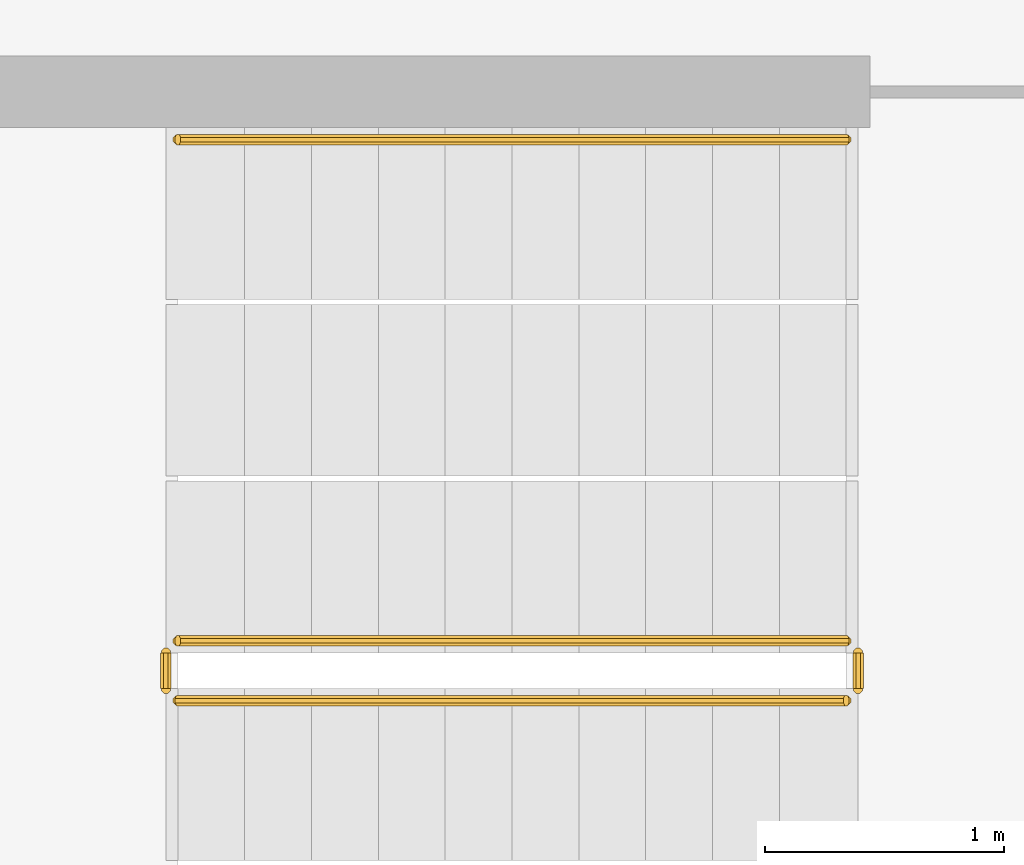
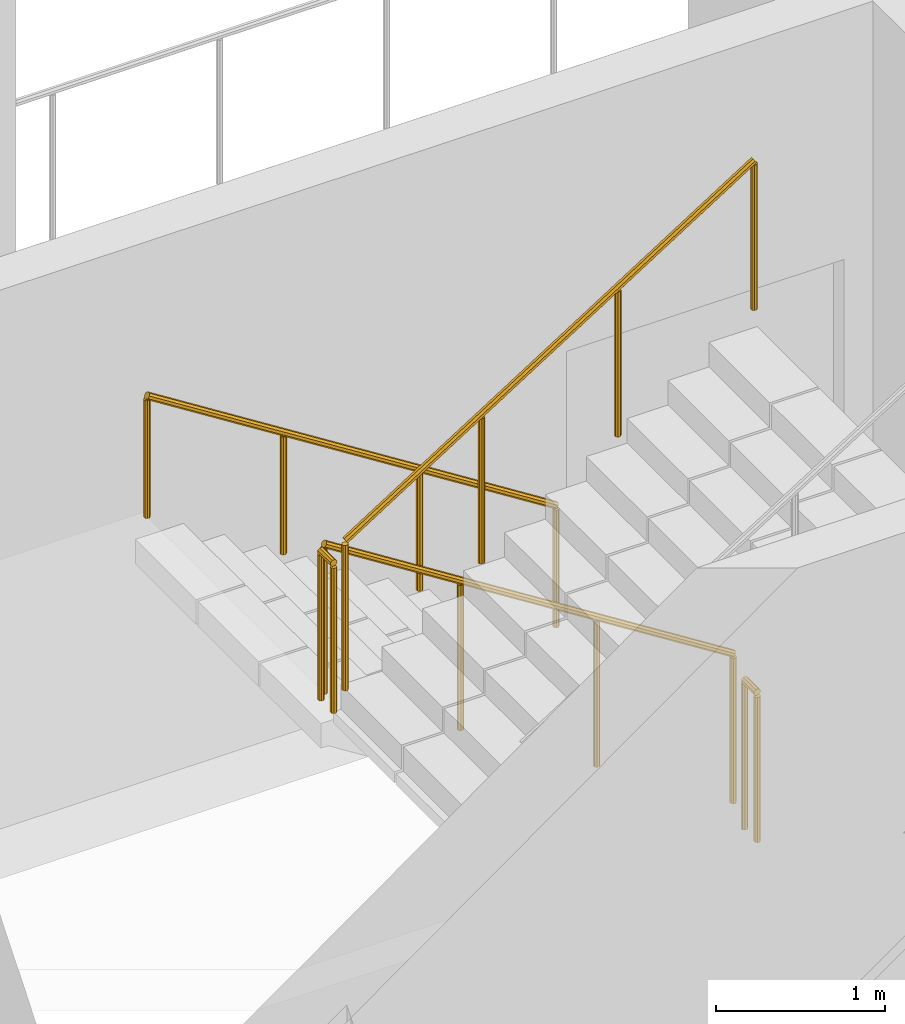
# One storey, part 20 of 26: 5 railings.
"""IFC4 building model written with IfcOpenShell, lengths in metres."""

from ifc_helpers import new_model, si_unit, direction, frame, origin, place, context, subcontext, project, spatial, polyline, outline, extrude, material, type_object, element, save


model = new_model("IFC4")

# Units and contexts
model_context = context("Model", 3, precision=1e-05, world=origin(), true_north=direction((0.0, 1.0)))
body_context = subcontext(model_context, "Body", "Model", "MODEL_VIEW")
ifc_project = project(units=[si_unit("LENGTHUNIT", "METRE"), si_unit("AREAUNIT", "SQUARE_METRE"), si_unit("VOLUMEUNIT", "CUBIC_METRE"), si_unit("PLANEANGLEUNIT", "RADIAN"), si_unit("MASSUNIT", "GRAM", prefix="KILO")], contexts=[model_context])

# Site, building, storey
site_placement = place(None, origin())
site = spatial("IfcSite", under=ifc_project, at=site_placement, CompositionType="ELEMENT")
building_placement = place(site_placement, origin())
building = spatial("IfcBuilding", under=site, at=building_placement, Name="Cormorant Relay Tower", CompositionType="ELEMENT")
storey_placement = place(building_placement, frame((0.0, 0.0, 304.800048828125)))
storey = spatial("IfcBuildingStorey", under=building, at=storey_placement, Name="L69", CompositionType="ELEMENT", Elevation=304.800048828125)

# Railings
ifc_material_1 = material(Name="Steel ASTM A572 Grade 50 (Fy 345 MPa)", Category="steel")
railing_type_1 = type_object("IfcRailingType", Name="Stair guard 1100", PredefinedType="GUARDRAIL", material=ifc_material_1)
railing_1_placement = place(storey_placement, frame((1.60009765625, -18.27490234375, 0.17724609375)))
element("IfcRailing", 1, at=railing_1_placement, inside=storey, type_object=railing_type_1, Name="L69 RK1 stair guard 1", PredefinedType="GUARDRAIL", context=body_context, shape_type="SweptSolid", body=[
    extrude(outline(polyline([(0.022216796875, 0.00927734375), (0.00927734375, 0.022216796875), (-0.00927734375, 0.022216796875), (-0.022216796875, 0.00927734375), (-0.022216796875, -0.00927734375), (-0.00927734375, -0.022216796875), (0.00927734375, -0.022216796875), (0.022216796875, -0.00927734375), (0.022216796875, 0.00927734375)])), frame((0.0, 0.0, 1.076171875), z_axis=(-0.844908973607, 0.0, 0.534910110503), x_axis=(0.0, -1.0, 0.0)), (0.0, 0.0, 1.0), 3.31396484375),
    extrude(outline(polyline([(0.019287109375, 0.008056640625), (0.008056640625, 0.019287109375), (-0.008056640625, 0.019287109375), (-0.019287109375, 0.008056640625), (-0.019287109375, -0.008056640625), (-0.008056640625, -0.019287109375), (0.008056640625, -0.019287109375), (0.019287109375, -0.008056640625), (0.019287109375, 0.008056640625)])), origin(), (0.0, 0.0, 1.0), 1.052001953125),
    extrude(outline(polyline([(0.019287109375, 0.008056640625), (0.008056640625, 0.019287109375), (-0.008056640625, 0.019287109375), (-0.019287109375, 0.008056640625), (-0.019287109375, -0.008056640625), (-0.008056640625, -0.019287109375), (0.008056640625, -0.019287109375), (0.019287109375, -0.008056640625), (0.019287109375, 0.008056640625)])), frame((-0.933349609375, 0.0, 0.5908203125)), (0.0, 0.0, 1.0), 1.052001953125),
    extrude(outline(polyline([(0.019287109375, 0.008056640625), (0.008056640625, 0.019287109375), (-0.008056640625, 0.019287109375), (-0.019287109375, 0.008056640625), (-0.019287109375, -0.008056640625), (-0.008056640625, -0.019287109375), (0.008056640625, -0.019287109375), (0.019287109375, -0.008056640625), (0.019287109375, 0.008056640625)])), frame((-1.86669921875, 0.0, 1.181884765625)), (0.0, 0.0, 1.0), 1.052001953125),
    extrude(outline(polyline([(0.019287109375, 0.008056640625), (0.008056640625, 0.019287109375), (-0.008056640625, 0.019287109375), (-0.019287109375, 0.008056640625), (-0.019287109375, -0.008056640625), (-0.008056640625, -0.019287109375), (0.008056640625, -0.019287109375), (0.019287109375, -0.008056640625), (0.019287109375, 0.008056640625)])), frame((-2.800048828125, 0.0, 1.772705078125)), (0.0, 0.0, 1.0), 1.052001953125),
])
railing_2_placement = place(storey_placement, frame((-1.25, -18.324951171875, 1.949951171875)))
element("IfcRailing", 2, at=railing_2_placement, inside=storey, type_object=railing_type_1, Name="L69 RK1 stair guard 2", PredefinedType="GUARDRAIL", context=body_context, shape_type="SweptSolid", body=[
    extrude(outline(polyline([(0.022216796875, 0.00927734375), (0.00927734375, 0.022216796875), (-0.00927734375, 0.022216796875), (-0.022216796875, 0.00927734375), (-0.022216796875, -0.00927734375), (-0.00927734375, -0.022216796875), (0.00927734375, -0.022216796875), (0.022216796875, -0.00927734375), (0.022216796875, 0.00927734375)])), frame((0.0, 0.0, 1.076171875), z_axis=(0.0, -1.0, 0.0), x_axis=(1.0, 0.0, 0.0)), (0.0, 0.0, 1.0), 0.150146484375),
    extrude(outline(polyline([(0.019287109375, 0.008056640625), (0.008056640625, 0.019287109375), (-0.008056640625, 0.019287109375), (-0.019287109375, 0.008056640625), (-0.019287109375, -0.008056640625), (-0.008056640625, -0.019287109375), (0.008056640625, -0.019287109375), (0.019287109375, -0.008056640625), (0.019287109375, 0.008056640625)])), origin(), (0.0, 0.0, 1.0), 1.052001953125),
    extrude(outline(polyline([(0.019287109375, 0.008056640625), (0.008056640625, 0.019287109375), (-0.008056640625, 0.019287109375), (-0.019287109375, 0.008056640625), (-0.019287109375, -0.008056640625), (-0.008056640625, -0.019287109375), (0.008056640625, -0.019287109375), (0.019287109375, -0.008056640625), (0.019287109375, 0.008056640625)])), frame((0.0, -0.150146484375, 0.0)), (0.0, 0.0, 1.0), 1.052001953125),
])
railing_3_placement = place(storey_placement, frame((-1.199951171875, -18.52490234375, 2.127197265625)))
element("IfcRailing", 3, at=railing_3_placement, inside=storey, type_object=railing_type_1, Name="L69 RK1 stair guard 3", PredefinedType="GUARDRAIL", context=body_context, shape_type="SweptSolid", body=[
    extrude(outline(polyline([(0.022216796875, 0.00927734375), (0.00927734375, 0.022216796875), (-0.00927734375, 0.022216796875), (-0.022216796875, 0.00927734375), (-0.022216796875, -0.00927734375), (-0.00927734375, -0.022216796875), (0.00927734375, -0.022216796875), (0.022216796875, -0.00927734375), (0.022216796875, 0.00927734375)])), frame((0.0, 0.0, 1.076171875), z_axis=(0.844908973607, 0.0, 0.534910110503), x_axis=(0.0, 1.0, 0.0)), (0.0, 0.0, 1.0), 3.31396484375),
    extrude(outline(polyline([(0.019287109375, 0.008056640625), (0.008056640625, 0.019287109375), (-0.008056640625, 0.019287109375), (-0.019287109375, 0.008056640625), (-0.019287109375, -0.008056640625), (-0.008056640625, -0.019287109375), (0.008056640625, -0.019287109375), (0.019287109375, -0.008056640625), (0.019287109375, 0.008056640625)])), origin(), (0.0, 0.0, 1.0), 1.052001953125),
    extrude(outline(polyline([(0.019287109375, 0.008056640625), (0.008056640625, 0.019287109375), (-0.008056640625, 0.019287109375), (-0.019287109375, 0.008056640625), (-0.019287109375, -0.008056640625), (-0.008056640625, -0.019287109375), (0.008056640625, -0.019287109375), (0.019287109375, -0.008056640625), (0.019287109375, 0.008056640625)])), frame((0.933349609375, 0.0, 0.5908203125)), (0.0, 0.0, 1.0), 1.052001953125),
    extrude(outline(polyline([(0.019287109375, 0.008056640625), (0.008056640625, 0.019287109375), (-0.008056640625, 0.019287109375), (-0.019287109375, 0.008056640625), (-0.019287109375, -0.008056640625), (-0.008056640625, -0.019287109375), (0.008056640625, -0.019287109375), (0.019287109375, -0.008056640625), (0.019287109375, 0.008056640625)])), frame((1.86669921875, 0.0, 1.181884765625)), (0.0, 0.0, 1.0), 1.052001953125),
    extrude(outline(polyline([(0.019287109375, 0.008056640625), (0.008056640625, 0.019287109375), (-0.008056640625, 0.019287109375), (-0.019287109375, 0.008056640625), (-0.019287109375, -0.008056640625), (-0.008056640625, -0.019287109375), (0.008056640625, -0.019287109375), (0.019287109375, -0.008056640625), (0.019287109375, 0.008056640625)])), frame((2.800048828125, 0.0, 1.772705078125)), (0.0, 0.0, 1.0), 1.052001953125),
])
railing_4_placement = place(storey_placement, frame((1.64990234375, -18.324951171875, 0.0)))
element("IfcRailing", 4, at=railing_4_placement, inside=storey, type_object=railing_type_1, Name="L69 RK1 stair guard 4", PredefinedType="GUARDRAIL", context=body_context, shape_type="SweptSolid", body=[
    extrude(outline(polyline([(0.022216796875, 0.00927734375), (0.00927734375, 0.022216796875), (-0.00927734375, 0.022216796875), (-0.022216796875, 0.00927734375), (-0.022216796875, -0.00927734375), (-0.00927734375, -0.022216796875), (0.00927734375, -0.022216796875), (0.022216796875, -0.00927734375), (0.022216796875, 0.00927734375)])), frame((0.0, 0.0, 1.076171875), z_axis=(0.0, -1.0, 0.0), x_axis=(1.0, 0.0, 0.0)), (0.0, 0.0, 1.0), 0.150146484375),
    extrude(outline(polyline([(0.019287109375, 0.008056640625), (0.008056640625, 0.019287109375), (-0.008056640625, 0.019287109375), (-0.019287109375, 0.008056640625), (-0.019287109375, -0.008056640625), (-0.008056640625, -0.019287109375), (0.008056640625, -0.019287109375), (0.019287109375, -0.008056640625), (0.019287109375, 0.008056640625)])), origin(), (0.0, 0.0, 1.0), 1.052001953125),
    extrude(outline(polyline([(0.019287109375, 0.008056640625), (0.008056640625, 0.019287109375), (-0.008056640625, 0.019287109375), (-0.019287109375, 0.008056640625), (-0.019287109375, -0.008056640625), (-0.008056640625, -0.019287109375), (0.008056640625, -0.019287109375), (0.019287109375, -0.008056640625), (0.019287109375, 0.008056640625)])), frame((0.0, -0.150146484375, 0.0)), (0.0, 0.0, 1.0), 1.052001953125),
])
ifc_material_2 = material(Name="Steel ASTM A572 Grade 50 (Fy 345 MPa)", Category="steel")
railing_type_2 = type_object("IfcRailingType", Name="Stair handrail 900", PredefinedType="HANDRAIL", material=ifc_material_2)
railing_5_placement = place(storey_placement, frame((1.60009765625, -16.175048828125, 0.17724609375)))
element("IfcRailing", 5, at=railing_5_placement, inside=storey, type_object=railing_type_2, Name="L69 RK1 stair handrail 1", PredefinedType="HANDRAIL", context=body_context, shape_type="SweptSolid", body=[
    extrude(outline(polyline([(0.022216796875, 0.00927734375), (0.00927734375, 0.022216796875), (-0.00927734375, 0.022216796875), (-0.022216796875, 0.00927734375), (-0.022216796875, -0.00927734375), (-0.00927734375, -0.022216796875), (0.00927734375, -0.022216796875), (0.022216796875, -0.00927734375), (0.022216796875, 0.00927734375)])), frame((0.0, 0.0, 0.8759765625), z_axis=(-0.844908973607, 0.0, 0.534910110503), x_axis=(0.0, -1.0, 0.0)), (0.0, 0.0, 1.0), 3.31396484375),
    extrude(outline(polyline([(0.019287109375, 0.008056640625), (0.008056640625, 0.019287109375), (-0.008056640625, 0.019287109375), (-0.019287109375, 0.008056640625), (-0.019287109375, -0.008056640625), (-0.008056640625, -0.019287109375), (0.008056640625, -0.019287109375), (0.019287109375, -0.008056640625), (0.019287109375, 0.008056640625)])), origin(), (0.0, 0.0, 1.0), 0.851806640625),
    extrude(outline(polyline([(0.019287109375, 0.008056640625), (0.008056640625, 0.019287109375), (-0.008056640625, 0.019287109375), (-0.019287109375, 0.008056640625), (-0.019287109375, -0.008056640625), (-0.008056640625, -0.019287109375), (0.008056640625, -0.019287109375), (0.019287109375, -0.008056640625), (0.019287109375, 0.008056640625)])), frame((-0.933349609375, 0.0, 0.5908203125)), (0.0, 0.0, 1.0), 0.851806640625),
    extrude(outline(polyline([(0.019287109375, 0.008056640625), (0.008056640625, 0.019287109375), (-0.008056640625, 0.019287109375), (-0.019287109375, 0.008056640625), (-0.019287109375, -0.008056640625), (-0.008056640625, -0.019287109375), (0.008056640625, -0.019287109375), (0.019287109375, -0.008056640625), (0.019287109375, 0.008056640625)])), frame((-1.86669921875, 0.0, 1.181884765625)), (0.0, 0.0, 1.0), 0.851806640625),
    extrude(outline(polyline([(0.019287109375, 0.008056640625), (0.008056640625, 0.019287109375), (-0.008056640625, 0.019287109375), (-0.019287109375, 0.008056640625), (-0.019287109375, -0.008056640625), (-0.008056640625, -0.019287109375), (0.008056640625, -0.019287109375), (0.019287109375, -0.008056640625), (0.019287109375, 0.008056640625)])), frame((-2.800048828125, 0.0, 1.772705078125)), (0.0, 0.0, 1.0), 0.851806640625),
])

save(model, "model.ifc")
